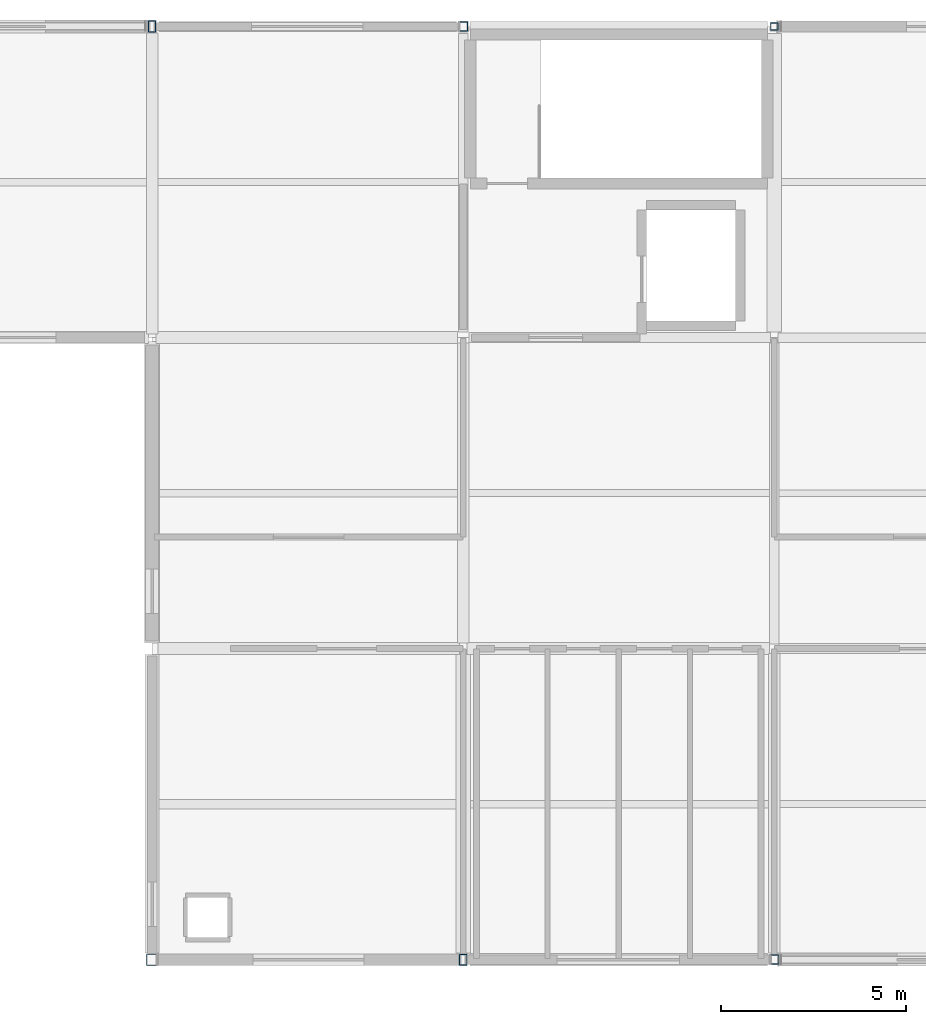
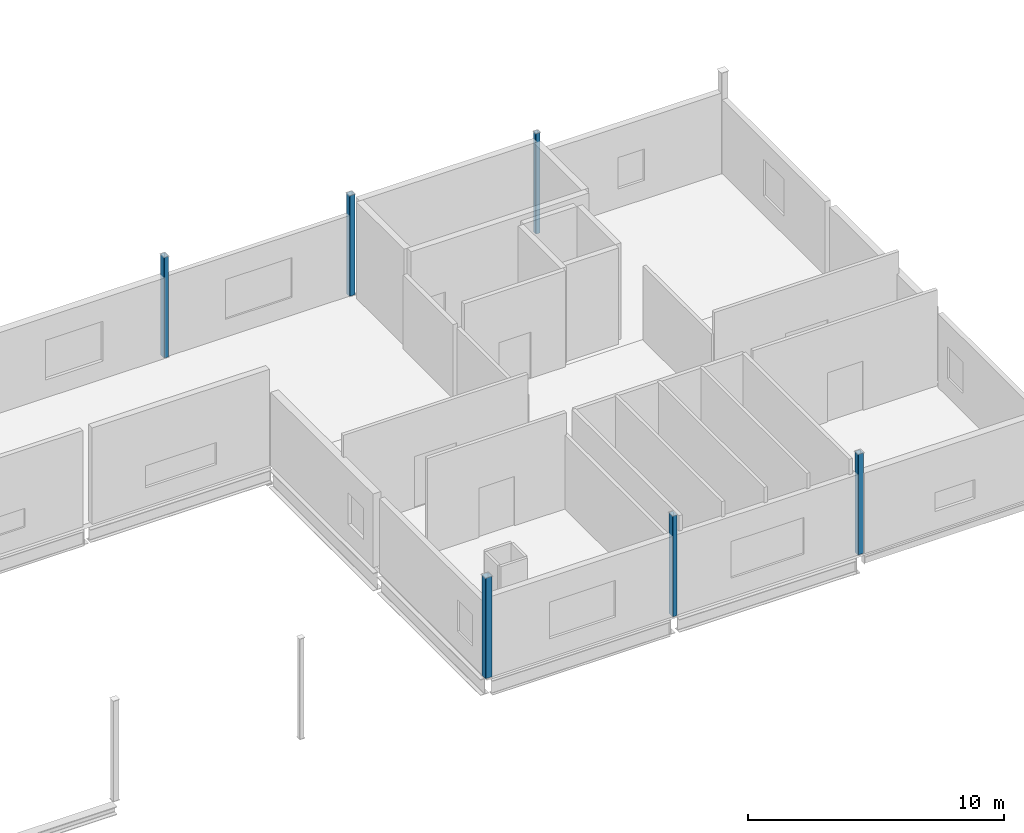
# One storey, part 3 of 27: 6 columns.
"""IFC4 building model written with IfcOpenShell, lengths in metres."""

from ifc_helpers import new_model, si_unit, direction, frame, origin, origin_2d, place, context, subcontext, project, spatial, hollow_rectangle, extrude, material, material_profile, profile_set, type_object, element, save


model = new_model("IFC4")

# Units and contexts
model_context = context("Model", 3, precision=1e-05, world=origin(), true_north=direction((0.0, 1.0)))
body_context = subcontext(model_context, "Body", "Model", "MODEL_VIEW")
ifc_project = project(units=[si_unit("LENGTHUNIT", "METRE"), si_unit("AREAUNIT", "SQUARE_METRE"), si_unit("VOLUMEUNIT", "CUBIC_METRE"), si_unit("PLANEANGLEUNIT", "RADIAN"), si_unit("MASSUNIT", "GRAM", prefix="KILO")], contexts=[model_context])

# Site, building, storey
site_placement = place(None, origin())
site = spatial("IfcSite", under=ifc_project, at=site_placement, CompositionType="ELEMENT")
building_placement = place(site_placement, origin())
building = spatial("IfcBuilding", under=site, at=building_placement, Name="Calvrana Isthmian Art Gallery", CompositionType="ELEMENT")
storey_placement = place(building_placement, frame((0.0, 0.0, 24.60009765625)))
storey = spatial("IfcBuildingStorey", under=building, at=storey_placement, Name="L05", CompositionType="ELEMENT", Elevation=24.60009765625)

# Columns
ifc_material = material(Name="Steel ASTM A500 Gr C", Category="steel")
ifc_material_profile_1 = material_profile(ifc_material, hollow_rectangle(XDim=0.203125, YDim=0.203125, WallThickness=0.0126953125, OuterFilletRadius=0.02490234375, at=origin_2d()), Name="HSS203X203X12.7")
ifc_profile_set_1 = profile_set([ifc_material_profile_1], Name="Steel ASTM A500 Gr C")
column_type_1 = type_object("IfcColumnType", Name="COL-STL-HSS203X203X12.7", PredefinedType="COLUMN", material=ifc_profile_set_1)
column_1_placement = place(storey_placement, frame((72.0, 46.800048828125, 0.0), z_axis=(0.0, 0.0, 1.0), x_axis=(1.0, 0.0, 0.0)))
element("IfcColumn", 1, at=column_1_placement, inside=storey, type_object=column_type_1, Name="Column 10/G L05", PredefinedType="COLUMN", context=body_context, shape_type="SweptSolid", body=[
    extrude(hollow_rectangle(XDim=0.203125, YDim=0.203125, WallThickness=0.0126953125, OuterFilletRadius=0.02490234375, at=origin_2d()), origin(), (0.0, 0.0, 1.0), 4.7998046875),
])
ifc_material_profile_2 = material_profile(ifc_material, hollow_rectangle(XDim=0.25390625, YDim=0.25390625, WallThickness=0.0126953125, OuterFilletRadius=0.02490234375, at=origin_2d()), Name="HSS254X254X12.7")
ifc_profile_set_2 = profile_set([ifc_material_profile_2], Name="Steel ASTM A500 Gr C")
column_type_2 = type_object("IfcColumnType", Name="COL-STL-HSS254X254X12.7", PredefinedType="COLUMN", material=ifc_profile_set_2)
for number, where, z_axis, x_axis, name in (
    (2, (63.60009765625, 46.800048828125, 0.0), (0.0, 0.0, 1.0), (1.0, 0.0, 0.0), "Column 09/G L05"),
    (3, (72.0, 21.60009765625, 0.0), (0.0, 0.0, 1.0), (1.0, 0.0, 0.0), "Column 10/D L05"),
):
    element("IfcColumn", number, at=place(storey_placement, frame(where, z_axis=z_axis, x_axis=x_axis)), inside=storey, type_object=column_type_2, Name=name, PredefinedType="COLUMN", context=body_context, shape_type="SweptSolid", body=[
        extrude(hollow_rectangle(XDim=0.25390625, YDim=0.25390625, WallThickness=0.0126953125, OuterFilletRadius=0.02490234375, at=origin_2d()), origin(), (0.0, 0.0, 1.0), 4.7998046875),
    ])
ifc_material_profile_3 = material_profile(ifc_material, hollow_rectangle(XDim=0.203125, YDim=0.3046875, WallThickness=0.0126953125, OuterFilletRadius=0.02490234375, at=origin_2d()), Name="HSS305X203X12.7")
ifc_profile_set_3 = profile_set([ifc_material_profile_3], Name="Steel ASTM A500 Gr C")
column_type_3 = type_object("IfcColumnType", Name="COL-STL-HSS305X203X12.7", PredefinedType="COLUMN", material=ifc_profile_set_3)
for number, where, z_axis, x_axis, name in (
    (4, (55.199951171875, 46.800048828125, 0.0), (0.0, 0.0, 1.0), (1.0, 0.0, 0.0), "Column 08/G L05"),
    (5, (63.60009765625, 21.60009765625, 0.0), (0.0, 0.0, 1.0), (1.0, 0.0, 0.0), "Column 09/D L05"),
):
    element("IfcColumn", number, at=place(storey_placement, frame(where, z_axis=z_axis, x_axis=x_axis)), inside=storey, type_object=column_type_3, Name=name, PredefinedType="COLUMN", context=body_context, shape_type="SweptSolid", body=[
        extrude(hollow_rectangle(XDim=0.203125, YDim=0.3046875, WallThickness=0.0126953125, OuterFilletRadius=0.02490234375, at=origin_2d()), origin(), (0.0, 0.0, 1.0), 4.7998046875),
    ])
ifc_material_profile_4 = material_profile(ifc_material, hollow_rectangle(XDim=0.3046875, YDim=0.3046875, WallThickness=0.015869140625, OuterFilletRadius=0.031982421875, at=origin_2d()), Name="HSS305X305X15.9")
ifc_profile_set_4 = profile_set([ifc_material_profile_4], Name="Steel ASTM A500 Gr C")
column_type_4 = type_object("IfcColumnType", Name="COL-STL-HSS305X305X15.9", PredefinedType="COLUMN", material=ifc_profile_set_4)
column_2_placement = place(storey_placement, frame((55.199951171875, 21.60009765625, 0.0), z_axis=(0.0, 0.0, 1.0), x_axis=(1.0, 0.0, 0.0)))
element("IfcColumn", 6, at=column_2_placement, inside=storey, type_object=column_type_4, Name="Column 08/D L05", PredefinedType="COLUMN", context=body_context, shape_type="SweptSolid", body=[
    extrude(hollow_rectangle(XDim=0.3046875, YDim=0.3046875, WallThickness=0.015869140625, OuterFilletRadius=0.031982421875, at=origin_2d()), origin(), (0.0, 0.0, 1.0), 4.7998046875),
])

save(model, "model.ifc")
